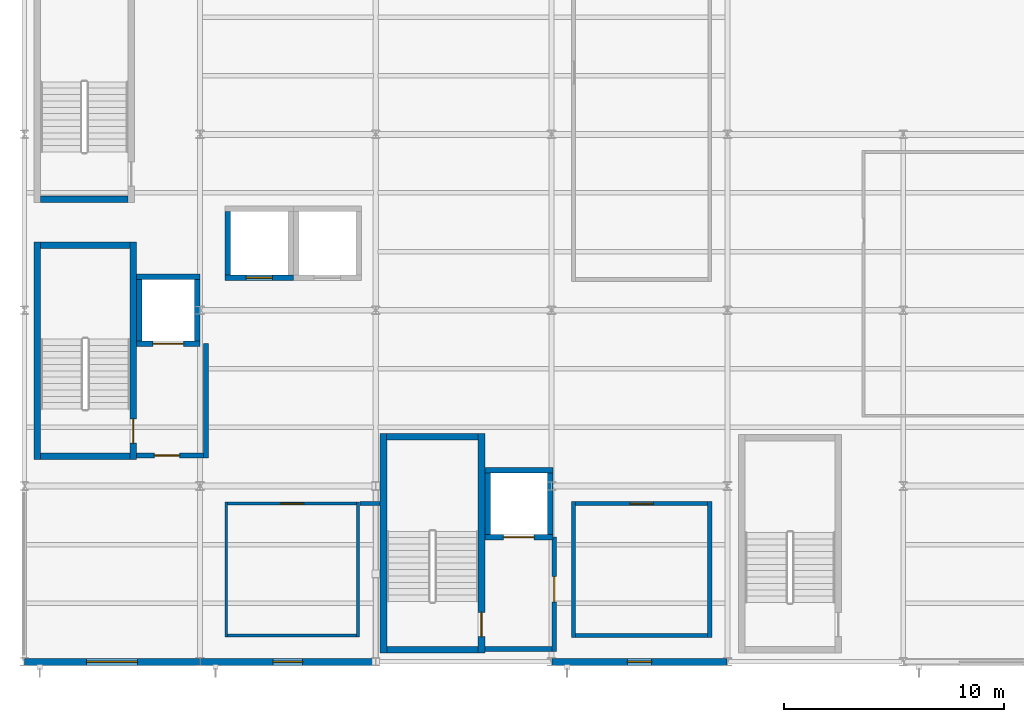
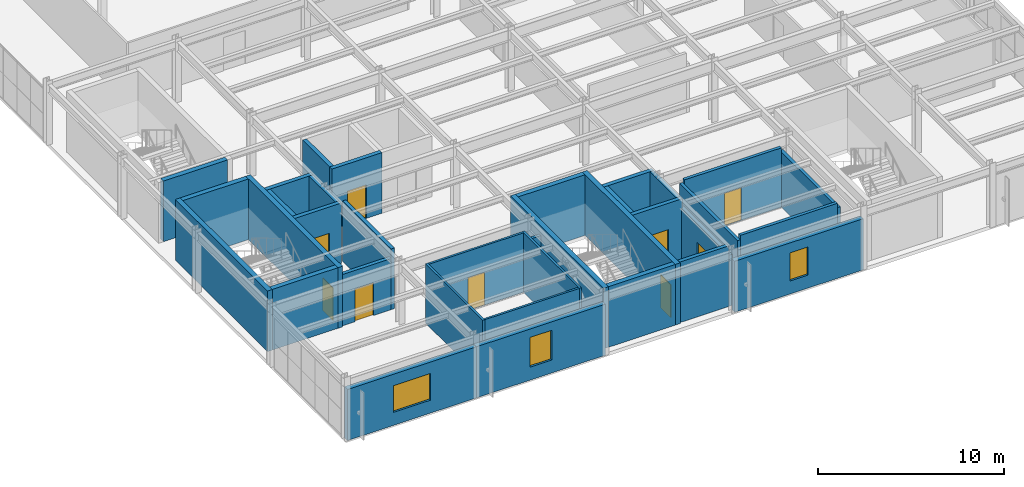
# One storey, part 44 of 67: 35 walls, 9 doors, 3 windows, 12 openings.
"""IFC4 building model written with IfcOpenShell, lengths in metres."""

import ifcopenshell
import ifcopenshell.guid

model = None  # the IFC model being written
_history = None  # IfcOwnerHistory: only IFC2X3 demands one
_inside = {}  # id of a spatial element -> (the spatial element, [elements in it])
_under = {}  # id of a project, library or spatial element -> (it, [spatial elements below it])
_declared = {}  # id of a project -> (the project, [libraries it declares])
_typed = {}  # id of a type object -> (the type object, [elements of that type])
_made_of = {}  # id of a material, layer set ... -> (it, [elements and type objects made of it])


def new_model(schema):
    """Start an empty IFC model of exactly this schema.

    Asked for "IFC4X3", IfcOpenShell would pick the latest addendum, in which some entities
    have other attributes; the version numbers below select the first issue.
    IFC2X3 requires an IfcOwnerHistory on every rooted entity: one is made here for all.
    """
    global model, _history
    if schema == "IFC4X3":
        model = ifcopenshell.file(schema_version=(4, 3, 0, 0))
    else:
        model = ifcopenshell.file(schema=schema)
    _inside.clear()
    _under.clear()
    _declared.clear()
    _typed.clear()
    _made_of.clear()
    _history = None
    if model.schema == "IFC2X3":
        org = make("IfcOrganization", Name="unknown")
        user = make(
            "IfcPersonAndOrganization",
            ThePerson=make("IfcPerson", FamilyName="unknown"),
            TheOrganization=org,
        )
        app = make(
            "IfcApplication",
            ApplicationDeveloper=org,
            Version="unknown",
            ApplicationFullName="unknown",
            ApplicationIdentifier="unknown",
        )
        _history = make(
            "IfcOwnerHistory",
            OwningUser=user,
            OwningApplication=app,
            ChangeAction="ADDED",
            CreationDate=0,
        )
    return model


def make(cls, **values):
    """One entity of the class cls with the attributes given. An attribute that is None is left unset."""
    return model.create_entity(
        cls, **{name: value for name, value in values.items() if value is not None}
    )


def rooted(cls, **values):
    """An entity with a GlobalId (a new one), such as an element, a storey or a relation."""
    return make(cls, GlobalId=ifcopenshell.guid.new(), OwnerHistory=_history, **values)


def si_unit(unit_type, name, prefix=None):
    """IfcSIUnit, for example si_unit("LENGTHUNIT", "METRE", prefix="MILLI")."""
    return make("IfcSIUnit", UnitType=unit_type, Prefix=prefix, Name=name)


def assignment(units):
    """IfcUnitAssignment: the units of a project."""
    return None if units is None else make("IfcUnitAssignment", Units=units)


def point(xyz):
    """IfcCartesianPoint."""
    return None if xyz is None else make("IfcCartesianPoint", Coordinates=xyz)


def direction(xyz):
    """IfcDirection."""
    return None if xyz is None else make("IfcDirection", DirectionRatios=xyz)


def frame(location, z_axis=None, x_axis=None):
    """IfcAxis2Placement3D, a coordinate frame: its origin and axes. An axis left out is left unset."""
    return make(
        "IfcAxis2Placement3D",
        Location=point(location),
        Axis=direction(z_axis),
        RefDirection=direction(x_axis),
    )


def frame_2d(location, x_axis=None):
    """IfcAxis2Placement2D, a coordinate frame in the plane: its origin and x axis."""
    return make(
        "IfcAxis2Placement2D", Location=point(location), RefDirection=direction(x_axis)
    )


def origin():
    """The frame at (0, 0, 0) with its axes left unset."""
    return frame((0.0, 0.0, 0.0))


def place(relative_to, where):
    """IfcLocalPlacement: puts the frame where relative to a parent placement (None: the world)."""
    return make(
        "IfcLocalPlacement", PlacementRelTo=relative_to, RelativePlacement=where
    )


def context(
    kind, dimensions, precision=None, world=None, true_north=None, identifier=None
):
    """IfcGeometricRepresentationContext, for example the 3D "Model" context."""
    return make(
        "IfcGeometricRepresentationContext",
        ContextIdentifier=identifier,
        ContextType=kind,
        CoordinateSpaceDimension=dimensions,
        Precision=precision,
        WorldCoordinateSystem=world,
        TrueNorth=true_north,
    )


def subcontext(parent, identifier, kind, view, scale=None):
    """IfcGeometricRepresentationSubContext, for example "Body" below "Model"."""
    return make(
        "IfcGeometricRepresentationSubContext",
        ContextIdentifier=identifier,
        ContextType=kind,
        ParentContext=parent,
        TargetScale=scale,
        TargetView=view,
    )


def project(units=None, contexts=None):
    """IfcProject with its units and contexts."""
    return rooted(
        "IfcProject",
        Name="project",
        RepresentationContexts=contexts,
        UnitsInContext=assignment(units),
    )


def spatial(cls, under=None, at=None, **own):
    """A site, building, storey or space (cls), placed at a placement, below another one or the project."""
    s = rooted(cls, ObjectPlacement=at, **own)
    if under is not None:
        _under.setdefault(under.id(), (under, []))[1].append(s)
    return s


def profile(cls, at=None, kind="AREA", **sizes):
    """A parametric profile (cls). Its sizes go by their IFC names, for example OverallWidth=200.0."""
    return make(cls, ProfileType=kind, Position=at, **sizes)


def rectangle(**sizes):
    """IfcRectangleProfileDef."""
    return profile("IfcRectangleProfileDef", **sizes)


def extrude(swept, where, along, depth):
    """IfcExtrudedAreaSolid: the profile swept, set in the frame where, extruded along a direction by depth."""
    return make(
        "IfcExtrudedAreaSolid",
        SweptArea=swept,
        Position=where,
        ExtrudedDirection=direction(along),
        Depth=depth,
    )


def shape(context_of_items, identifier, shape_type, items):
    """IfcShapeRepresentation: the items that make up one representation, for example the "Body"."""
    return make(
        "IfcShapeRepresentation",
        ContextOfItems=context_of_items,
        RepresentationIdentifier=identifier,
        RepresentationType=shape_type,
        Items=items,
    )


def material(Name=None, Category=None):
    """IfcMaterial."""
    return make("IfcMaterial", Name=Name, Category=Category)


def layer(
    of_material, thickness, ventilated=None, Name=None, Category=None, Priority=None
):
    """IfcMaterialLayer: one layer of a wall or slab, of a material (None: an air gap)."""
    return make(
        "IfcMaterialLayer",
        Material=of_material,
        LayerThickness=thickness,
        IsVentilated=ventilated,
        Name=Name,
        Category=Category,
        Priority=Priority,
    )


def layer_set(layers, Name=None):
    """IfcMaterialLayerSet."""
    return make("IfcMaterialLayerSet", MaterialLayers=layers, LayerSetName=Name)


def made_of(thing, what):
    """Note that an element or type object is made of a material, layer set ...; save() writes the relation."""
    if what is not None:
        _made_of.setdefault(what.id(), (what, []))[1].append(thing)
    return thing


def type_object(cls, material=None, **own):
    """A type object (cls), such as IfcWallType, which elements share."""
    return made_of(rooted(cls, **own), material)


def element(
    cls,
    number,
    at=None,
    inside=None,
    cuts=None,
    type_object=None,
    material=None,
    context=None,
    identifier="Body",
    shape_type=None,
    held_by="IfcProductDefinitionShape",
    body=None,
    shapes=None,
    **own,
):
    """One element of the class cls, such as IfcWall. Its Tag is "e" and its number.

    at: its placement. inside: the storey or other place that contains it. cuts: it is an
    opening in that element (IfcRelVoidsElement). A single representation is given by context,
    identifier, shape_type and body (its items); several are given by shapes. held_by: the class
    of the entity that holds the representations. save() writes the other relations.
    """
    e = rooted(cls, Tag="e%d" % number, ObjectPlacement=at, **own)
    if body is not None:
        shapes = [shape(context, identifier, shape_type, body)]
    if shapes is not None:
        e.Representation = make(held_by, Representations=shapes)
    if inside is not None:
        _inside.setdefault(inside.id(), (inside, []))[1].append(e)
    if cuts is not None:
        rooted(
            "IfcRelVoidsElement", RelatingBuildingElement=cuts, RelatedOpeningElement=e
        )
    if type_object is not None:
        _typed.setdefault(type_object.id(), (type_object, []))[1].append(e)
    return made_of(e, material)


def fill(opening, filler):
    """IfcRelFillsElement: the door or window that sits in an opening."""
    return rooted(
        "IfcRelFillsElement",
        RelatingOpeningElement=opening,
        RelatedBuildingElement=filler,
    )


def aggregate(whole, parts):
    """IfcRelAggregates: a whole, such as a stair, and the parts it consists of."""
    return rooted("IfcRelAggregates", RelatingObject=whole, RelatedObjects=parts)


def save(model, path):
    """Write the relations noted so far, then the file.

    IfcRelAggregates (storeys below a building ...), IfcRelContainedInSpatialStructure (elements
    in a storey), IfcRelDefinesByType, IfcRelAssociatesMaterial and IfcRelDeclares: one each for
    every whole, place, type object, material and project.
    """
    for whole, parts in _under.values():
        aggregate(whole, parts)
    for where, things in _inside.values():
        rooted(
            "IfcRelContainedInSpatialStructure",
            RelatedElements=things,
            RelatingStructure=where,
        )
    for kind, things in _typed.values():
        rooted("IfcRelDefinesByType", RelatedObjects=things, RelatingType=kind)
    for what, things in _made_of.values():
        rooted("IfcRelAssociatesMaterial", RelatedObjects=things, RelatingMaterial=what)
    for by, libraries in _declared.values():
        rooted("IfcRelDeclares", RelatingContext=by, RelatedDefinitions=libraries)
    model.write(path)


model = new_model("IFC4")

# Units and contexts
model_context = context("Model", 3, precision=1e-05, world=origin(), true_north=direction((0.0, 1.0)))
body_context = subcontext(model_context, "Body", "Model", "MODEL_VIEW")
ifc_project = project(units=[si_unit("LENGTHUNIT", "METRE"), si_unit("AREAUNIT", "SQUARE_METRE"), si_unit("VOLUMEUNIT", "CUBIC_METRE"), si_unit("PLANEANGLEUNIT", "RADIAN"), si_unit("MASSUNIT", "GRAM", prefix="KILO")], contexts=[model_context])

# Site, building, storey
site_placement = place(None, origin())
site = spatial("IfcSite", under=ifc_project, at=site_placement, CompositionType="ELEMENT")
building_placement = place(site_placement, origin())
building = spatial("IfcBuilding", under=site, at=building_placement, Name="Drelvath Fold Interchange", CompositionType="ELEMENT")
storey_placement = place(building_placement, frame((0.0, 0.0, 15.60009765625)))
storey = spatial("IfcBuildingStorey", under=building, at=storey_placement, Name="L03", CompositionType="ELEMENT", Elevation=15.60009765625)

# Wall
ifc_material_1 = material(Name="Concrete f'c 45 MPa (6500 psi)", Category="concrete")
ifc_layer_1 = layer(ifc_material_1, 0.300048828125, Name="Concrete f'c 45 MPa (6500 psi)")
ifc_layer_set_1 = layer_set([ifc_layer_1], Name="Concrete f'c 45 MPa (6500 psi)")
wall_type_1 = type_object("IfcWallType", Name="WL-CR300", PredefinedType="SHEAR", material=ifc_layer_set_1)
wall_1_placement = place(storey_placement, frame((4.75, 12.35009765625, 0.0), z_axis=(0.0, 0.0, 1.0), x_axis=(1.0, 0.0, 0.0)))
element("IfcWall", 1, at=wall_1_placement, inside=storey, type_object=wall_type_1, Name="ST-01 L03 south core wall", PredefinedType="SHEAR", context=body_context, shape_type="SweptSolid", body=[
    extrude(rectangle(XDim=4.06005859375, YDim=0.300048828125, at=frame_2d((2.030029296875, 0.0))), origin(), (0.0, 0.0, 1.0), 3.974853515625),
])

# Wall, opening, door
wall_2_placement = place(storey_placement, frame((8.9599609375, 12.199951171875, 0.0), z_axis=(0.0, 0.0, 1.0), x_axis=(0.0, 1.0, 0.0)))
wall_2 = element("IfcWall", 2, at=wall_2_placement, inside=storey, type_object=wall_type_1, Name="ST-01 L03 east core wall", PredefinedType="SHEAR", context=body_context, shape_type="SweptSolid", body=[
    extrude(rectangle(XDim=9.900146484375, YDim=0.300048828125, at=frame_2d((4.9501953125, 0.0))), origin(), (0.0, 0.0, 1.0), 3.974853515625),
])
opening_1_placement = place(wall_2_placement, frame((0.75, 0.0, 0.0)))
opening_1 = element("IfcOpeningElement", 3, at=opening_1_placement, cuts=wall_2, Name="Opening D-L03-006", PredefinedType="OPENING", context=body_context, shape_type="SweptSolid", body=[
    extrude(rectangle(XDim=1.10009765625, YDim=2.14990234375, at=frame_2d((0.550048828125, 1.074951171875))), frame((0.0, 0.159912109375, 0.0), z_axis=(0.0, -1.0, 0.0), x_axis=(1.0, 0.0, 0.0)), (0.0, 0.0, 1.0), 0.320068359375),
])
ifc_material_2 = material(Name="Insulated Hollow Metal Door Assembly")
door_type_1 = type_object("IfcDoorType", Name="DR-ST1100", OperationType="NOTDEFINED", PredefinedType="DOOR", material=ifc_material_2)
door_1_placement = place(opening_1_placement, origin())
door_1 = element("IfcDoor", 4, at=door_1_placement, inside=storey, type_object=door_type_1, Name="ST-01 L03 stair fire door D-L03-006", OperationType="SINGLE_SWING_RIGHT", OverallHeight=2.14990234375, OverallWidth=1.10009765625, PredefinedType="DOOR", context=body_context, shape_type="SweptSolid", body=[
    extrude(rectangle(XDim=1.10009765625, YDim=2.14990234375, at=frame_2d((0.550048828125, 1.074951171875))), frame((0.0, 0.02490234375, 0.0), z_axis=(0.0, -1.0, 0.0), x_axis=(1.0, 0.0, 0.0)), (0.0, 0.0, 1.0), 0.050048828125),
])
fill(opening_1, door_1)

# Walls
wall_3_placement = place(storey_placement, frame((8.81005859375, 21.949951171875, 0.0), z_axis=(0.0, 0.0, 1.0), x_axis=(-1.0, 0.0, 0.0)))
element("IfcWall", 5, at=wall_3_placement, inside=storey, type_object=wall_type_1, Name="ST-01 L03 north core wall", PredefinedType="SHEAR", context=body_context, shape_type="SweptSolid", body=[
    extrude(rectangle(XDim=4.06005859375, YDim=0.300048828125, at=frame_2d((2.030029296875, 0.0))), origin(), (0.0, 0.0, 1.0), 3.974853515625),
])
wall_4_placement = place(storey_placement, frame((4.60009765625, 22.10009765625, 0.0), z_axis=(0.0, 0.0, 1.0), x_axis=(0.0, -1.0, 0.0)))
element("IfcWall", 6, at=wall_4_placement, inside=storey, type_object=wall_type_1, Name="ST-01 L03 west core wall", PredefinedType="SHEAR", context=body_context, shape_type="SweptSolid", body=[
    extrude(rectangle(XDim=9.900146484375, YDim=0.300048828125, at=frame_2d((4.9501953125, 0.0))), origin(), (0.0, 0.0, 1.0), 3.974853515625),
])
wall_5_placement = place(storey_placement, frame((4.75, 24.050048828125, 0.0), z_axis=(0.0, 0.0, 1.0), x_axis=(1.0, 0.0, 0.0)))
element("IfcWall", 7, at=wall_5_placement, inside=storey, type_object=wall_type_1, Name="ST-02 L03 south core wall", PredefinedType="SHEAR", context=body_context, shape_type="SweptSolid", body=[
    extrude(rectangle(XDim=3.97998046875, YDim=0.300048828125, at=frame_2d((1.989990234375, 0.0))), origin(), (0.0, 0.0, 1.0), 3.974853515625),
])
wall_6_placement = place(storey_placement, frame((20.5, 3.550048828125, 0.0), z_axis=(0.0, 0.0, 1.0), x_axis=(1.0, 0.0, 0.0)))
element("IfcWall", 8, at=wall_6_placement, inside=storey, type_object=wall_type_1, Name="ST-03 L03 south core wall", PredefinedType="SHEAR", context=body_context, shape_type="SweptSolid", body=[
    extrude(rectangle(XDim=4.159912109375, YDim=0.300048828125, at=frame_2d((2.080078125, 0.0))), origin(), (0.0, 0.0, 1.0), 3.974853515625),
])

# Wall, opening, door
wall_7_placement = place(storey_placement, frame((24.81005859375, 3.39990234375, 0.0), z_axis=(0.0, 0.0, 1.0), x_axis=(0.0, 1.0, 0.0)))
wall_7 = element("IfcWall", 9, at=wall_7_placement, inside=storey, type_object=wall_type_1, Name="ST-03 L03 east core wall", PredefinedType="SHEAR", context=body_context, shape_type="SweptSolid", body=[
    extrude(rectangle(XDim=10.0, YDim=0.300048828125, at=frame_2d((5.0, 0.0))), origin(), (0.0, 0.0, 1.0), 3.974853515625),
])
opening_2_placement = place(wall_7_placement, frame((0.75, 0.0, 0.0)))
opening_2 = element("IfcOpeningElement", 10, at=opening_2_placement, cuts=wall_7, Name="Opening D-L03-022", PredefinedType="OPENING", context=body_context, shape_type="SweptSolid", body=[
    extrude(rectangle(XDim=1.10009765625, YDim=2.14990234375, at=frame_2d((0.550048828125, 1.074951171875))), frame((0.0, 0.159912109375, 0.0), z_axis=(0.0, -1.0, 0.0), x_axis=(1.0, 0.0, 0.0)), (0.0, 0.0, 1.0), 0.320068359375),
])
door_2_placement = place(opening_2_placement, origin())
door_2 = element("IfcDoor", 11, at=door_2_placement, inside=storey, type_object=door_type_1, Name="ST-03 L03 stair fire door D-L03-022", OperationType="SINGLE_SWING_RIGHT", OverallHeight=2.14990234375, OverallWidth=1.10009765625, PredefinedType="DOOR", context=body_context, shape_type="SweptSolid", body=[
    extrude(rectangle(XDim=1.10009765625, YDim=2.14990234375, at=frame_2d((0.550048828125, 1.074951171875))), frame((0.0, 0.02490234375, 0.0), z_axis=(0.0, -1.0, 0.0), x_axis=(1.0, 0.0, 0.0)), (0.0, 0.0, 1.0), 0.050048828125),
])
fill(opening_2, door_2)

# Walls
wall_8_placement = place(storey_placement, frame((24.659912109375, 13.25, 0.0), z_axis=(0.0, 0.0, 1.0), x_axis=(-1.0, 0.0, 0.0)))
element("IfcWall", 12, at=wall_8_placement, inside=storey, type_object=wall_type_1, Name="ST-03 L03 north core wall", PredefinedType="SHEAR", context=body_context, shape_type="SweptSolid", body=[
    extrude(rectangle(XDim=4.159912109375, YDim=0.300048828125, at=frame_2d((2.080078125, 0.0))), origin(), (0.0, 0.0, 1.0), 3.974853515625),
])
wall_9_placement = place(storey_placement, frame((20.35009765625, 13.39990234375, 0.0), z_axis=(0.0, 0.0, 1.0), x_axis=(0.0, -1.0, 0.0)))
element("IfcWall", 13, at=wall_9_placement, inside=storey, type_object=wall_type_1, Name="ST-03 L03 west core wall", PredefinedType="SHEAR", context=body_context, shape_type="SweptSolid", body=[
    extrude(rectangle(XDim=10.0, YDim=0.300048828125, at=frame_2d((5.0, 0.0))), origin(), (0.0, 0.0, 1.0), 3.974853515625),
])

# Wall, opening, window
ifc_material_3 = material(Name="Precast concrete f'c 40 MPa (6000 psi)", Category="concrete")
ifc_layer_2 = layer(ifc_material_3, 0.31494140625, Name="Precast concrete f'c 40 MPa (6000 psi)")
ifc_layer_set_2 = layer_set([ifc_layer_2], Name="Precast concrete f'c 40 MPa (6000 psi)")
wall_type_2 = type_object("IfcWallType", Name="WL-EXT315", PredefinedType="SOLIDWALL", material=ifc_layer_set_2)
wall_10_placement = place(storey_placement, frame((4.010009765625, 3.0, 0.0), z_axis=(0.0, 0.0, 1.0), x_axis=(1.0, 0.0, 0.0)))
wall_10 = element("IfcWall", 14, at=wall_10_placement, inside=storey, type_object=wall_type_2, Name="L03 exterior facade wall 68", PredefinedType="SOLIDWALL", context=body_context, shape_type="SweptSolid", body=[
    extrude(rectangle(XDim=7.97998046875, YDim=0.31494140625, at=frame_2d((3.989990234375, 0.0))), origin(), (0.0, 0.0, 1.0), 3.349853515625),
])
opening_3_placement = place(wall_10_placement, frame((2.840087890625, 0.0, 0.85009765625)))
opening_3 = element("IfcOpeningElement", 15, at=opening_3_placement, cuts=wall_10, Name="Opening W-L03-062", PredefinedType="OPENING", context=body_context, shape_type="SweptSolid", body=[
    extrude(rectangle(XDim=2.300048828125, YDim=1.75, at=frame_2d((1.14990234375, 0.875))), frame((0.0, 0.16748046875, 0.0), z_axis=(0.0, -1.0, 0.0), x_axis=(1.0, 0.0, 0.0)), (0.0, 0.0, 1.0), 0.3349609375),
])
ifc_material_4 = material(Name="Low-Iron Insulated Laminated Glass", Category="glass")
window_type_1 = type_object("IfcWindowType", Name="WN-230x175", PartitioningType="DOUBLE_PANEL_VERTICAL", PredefinedType="WINDOW", material=ifc_material_4)
window_1_placement = place(opening_3_placement, origin())
window_1 = element("IfcWindow", 16, at=window_1_placement, inside=storey, type_object=window_type_1, Name="Facade window W-L03-062", OverallHeight=1.75, OverallWidth=2.300048828125, PartitioningType="SINGLE_PANEL", PredefinedType="WINDOW", context=body_context, shape_type="SweptSolid", body=[
    extrude(rectangle(XDim=2.300048828125, YDim=1.75, at=frame_2d((1.14990234375, 0.875))), frame((0.0, 0.030029296875, 0.0), z_axis=(0.0, -1.0, 0.0), x_axis=(1.0, 0.0, 0.0)), (0.0, 0.0, 1.0), 0.06005859375),
])
fill(opening_3, window_1)

wall_11_placement = place(storey_placement, frame((12.010009765625, 3.0, 0.0), z_axis=(0.0, 0.0, 1.0), x_axis=(1.0, 0.0, 0.0)))
wall_11 = element("IfcWall", 17, at=wall_11_placement, inside=storey, type_object=wall_type_2, Name="L03 exterior facade wall 69", PredefinedType="SOLIDWALL", context=body_context, shape_type="SweptSolid", body=[
    extrude(rectangle(XDim=7.97998046875, YDim=0.31494140625, at=frame_2d((3.989990234375, 0.0))), origin(), (0.0, 0.0, 1.0), 3.349853515625),
])
opening_4_placement = place(wall_11_placement, frame((3.31494140625, 0.0, 0.85009765625)))
opening_4 = element("IfcOpeningElement", 18, at=opening_4_placement, cuts=wall_11, Name="Opening W-L03-063", PredefinedType="OPENING", context=body_context, shape_type="SweptSolid", body=[
    extrude(rectangle(XDim=1.35009765625, YDim=1.949951171875, at=frame_2d((0.675048828125, 0.97509765625))), frame((0.0, 0.16748046875, 0.0), z_axis=(0.0, -1.0, 0.0), x_axis=(1.0, 0.0, 0.0)), (0.0, 0.0, 1.0), 0.3349609375),
])
window_type_2 = type_object("IfcWindowType", Name="WN-135x195", PartitioningType="SINGLE_PANEL", PredefinedType="WINDOW", material=ifc_material_4)
window_2_placement = place(opening_4_placement, origin())
window_2 = element("IfcWindow", 19, at=window_2_placement, inside=storey, type_object=window_type_2, Name="Facade window W-L03-063", OverallHeight=1.949951171875, OverallWidth=1.35009765625, PartitioningType="SINGLE_PANEL", PredefinedType="WINDOW", context=body_context, shape_type="SweptSolid", body=[
    extrude(rectangle(XDim=1.35009765625, YDim=1.949951171875, at=frame_2d((0.675048828125, 0.97509765625))), frame((0.0, 0.030029296875, 0.0), z_axis=(0.0, -1.0, 0.0), x_axis=(1.0, 0.0, 0.0)), (0.0, 0.0, 1.0), 0.06005859375),
])
fill(opening_4, window_2)

wall_12_placement = place(storey_placement, frame((28.010009765625, 3.0, 0.0), z_axis=(0.0, 0.0, 1.0), x_axis=(1.0, 0.0, 0.0)))
wall_12 = element("IfcWall", 20, at=wall_12_placement, inside=storey, type_object=wall_type_2, Name="L03 exterior facade wall 70", PredefinedType="SOLIDWALL", context=body_context, shape_type="SweptSolid", body=[
    extrude(rectangle(XDim=7.97998046875, YDim=0.31494140625, at=frame_2d((3.989990234375, 0.0))), origin(), (0.0, 0.0, 1.0), 3.349853515625),
])
opening_5_placement = place(wall_12_placement, frame((3.43994140625, 0.0, 0.85009765625)))
opening_5 = element("IfcOpeningElement", 21, at=opening_5_placement, cuts=wall_12, Name="Opening W-L03-064", PredefinedType="OPENING", context=body_context, shape_type="SweptSolid", body=[
    extrude(rectangle(XDim=1.10009765625, YDim=1.85009765625, at=frame_2d((0.550048828125, 0.925048828125))), frame((0.0, 0.16748046875, 0.0), z_axis=(0.0, -1.0, 0.0), x_axis=(1.0, 0.0, 0.0)), (0.0, 0.0, 1.0), 0.3349609375),
])
window_type_3 = type_object("IfcWindowType", Name="WN-110x185", PartitioningType="SINGLE_PANEL", PredefinedType="WINDOW", material=ifc_material_4)
window_3_placement = place(opening_5_placement, origin())
window_3 = element("IfcWindow", 22, at=window_3_placement, inside=storey, type_object=window_type_3, Name="Facade window W-L03-064", OverallHeight=1.85009765625, OverallWidth=1.10009765625, PartitioningType="SINGLE_PANEL", PredefinedType="WINDOW", context=body_context, shape_type="SweptSolid", body=[
    extrude(rectangle(XDim=1.10009765625, YDim=1.85009765625, at=frame_2d((0.550048828125, 0.925048828125))), frame((0.0, 0.030029296875, 0.0), z_axis=(0.0, -1.0, 0.0), x_axis=(1.0, 0.0, 0.0)), (0.0, 0.0, 1.0), 0.06005859375),
])
fill(opening_5, window_3)

# Wall, opening, door
ifc_layer_3 = layer(ifc_material_1, 0.219970703125, Name="Concrete f'c 45 MPa (6500 psi)")
ifc_layer_set_3 = layer_set([ifc_layer_3], Name="Concrete f'c 45 MPa (6500 psi)")
wall_type_3 = type_object("IfcWallType", Name="WL-FF220", PredefinedType="SOLIDWALL", material=ifc_layer_set_3)
wall_13_placement = place(storey_placement, frame((9.1201171875, 12.389892578125, 0.0), z_axis=(0.0, 0.0, 1.0), x_axis=(1.0, 0.0, 0.0)))
wall_13 = element("IfcWall", 23, at=wall_13_placement, inside=storey, type_object=wall_type_3, Name="Firefighting Lift Lobby FF-1 L03 south rated wall", PredefinedType="SOLIDWALL", context=body_context, shape_type="SweptSolid", body=[
    extrude(rectangle(XDim=3.039794921875, YDim=0.219970703125, at=frame_2d((1.52001953125, 0.0))), origin(), (0.0, 0.0, 1.0), 3.35791015625),
])
opening_6_placement = place(wall_13_placement, frame((0.804931640625, 0.0, 0.0)))
opening_6 = element("IfcOpeningElement", 24, at=opening_6_placement, cuts=wall_13, Name="Opening D-L03-053", PredefinedType="OPENING", context=body_context, shape_type="SweptSolid", body=[
    extrude(rectangle(XDim=1.14990234375, YDim=2.14990234375, at=frame_2d((0.574951171875, 1.074951171875))), frame((0.0, 0.119873046875, 0.0), z_axis=(0.0, -1.0, 0.0), x_axis=(1.0, 0.0, 0.0)), (0.0, 0.0, 1.0), 0.239990234375),
])
door_type_2 = type_object("IfcDoorType", Name="DR-FF1150", OperationType="NOTDEFINED", PredefinedType="DOOR", material=ifc_material_2)
door_3_placement = place(opening_6_placement, frame((1.14990234375, 0.0, 0.0), z_axis=(0.0, 0.0, 1.0), x_axis=(-1.0, 0.0, 0.0)))
door_3 = element("IfcDoor", 25, at=door_3_placement, inside=storey, type_object=door_type_2, Name="Firefighting Lift Lobby FF-1 L03 corridor fire door D-L03-053", OperationType="SINGLE_SWING_LEFT", OverallHeight=2.14990234375, OverallWidth=1.14990234375, PredefinedType="DOOR", context=body_context, shape_type="SweptSolid", body=[
    extrude(rectangle(XDim=1.14990234375, YDim=2.14990234375, at=frame_2d((0.574951171875, 1.074951171875))), frame((0.0, 0.02490234375, 0.0), z_axis=(0.0, -1.0, 0.0), x_axis=(1.0, 0.0, 0.0)), (0.0, 0.0, 1.0), 0.050048828125),
])
fill(opening_6, door_3)

# Walls
wall_14_placement = place(storey_placement, frame((12.27001953125, 12.280029296875, 0.0), z_axis=(0.0, 0.0, 1.0), x_axis=(0.0, 1.0, 0.0)))
element("IfcWall", 26, at=wall_14_placement, inside=storey, type_object=wall_type_3, Name="Firefighting Lift Lobby FF-1 L03 east rated wall", PredefinedType="SOLIDWALL", context=body_context, shape_type="SweptSolid", body=[
    extrude(rectangle(XDim=5.2099609375, YDim=0.219970703125, at=frame_2d((2.60498046875, 0.0))), origin(), (0.0, 0.0, 1.0), 3.974853515625),
])
wall_15_placement = place(storey_placement, frame((24.969970703125, 3.590087890625, 0.0), z_axis=(0.0, 0.0, 1.0), x_axis=(1.0, 0.0, 0.0)))
element("IfcWall", 27, at=wall_15_placement, inside=storey, type_object=wall_type_3, Name="Firefighting Lift Lobby FF-2 L03 south rated wall", PredefinedType="SOLIDWALL", context=body_context, shape_type="SweptSolid", body=[
    extrude(rectangle(XDim=3.0400390625, YDim=0.219970703125, at=frame_2d((1.52001953125, 0.0))), origin(), (0.0, 0.0, 1.0), 3.974853515625),
])

# Wall, opening, door
wall_16_placement = place(storey_placement, frame((28.1201171875, 3.47998046875, 0.0), z_axis=(0.0, 0.0, 1.0), x_axis=(0.0, 1.0, 0.0)))
wall_16 = element("IfcWall", 28, at=wall_16_placement, inside=storey, type_object=wall_type_3, Name="Firefighting Lift Lobby FF-2 L03 east rated wall", PredefinedType="SOLIDWALL", context=body_context, shape_type="SweptSolid", body=[
    extrude(rectangle(XDim=5.2099609375, YDim=0.219970703125, at=frame_2d((2.60498046875, 0.0))), origin(), (0.0, 0.0, 1.0), 3.35791015625),
])
opening_7_placement = place(wall_16_placement, frame((2.2451171875, 0.0, 0.0)))
opening_7 = element("IfcOpeningElement", 29, at=opening_7_placement, cuts=wall_16, Name="Opening D-L03-061", PredefinedType="OPENING", context=body_context, shape_type="SweptSolid", body=[
    extrude(rectangle(XDim=1.14990234375, YDim=2.14990234375, at=frame_2d((0.574951171875, 1.074951171875))), frame((0.0, 0.119873046875, 0.0), z_axis=(0.0, -1.0, 0.0), x_axis=(1.0, 0.0, 0.0)), (0.0, 0.0, 1.0), 0.239990234375),
])
door_4_placement = place(opening_7_placement, origin())
door_4 = element("IfcDoor", 30, at=door_4_placement, inside=storey, type_object=door_type_2, Name="Firefighting Lift Lobby FF-2 L03 corridor fire door D-L03-061", OperationType="SINGLE_SWING_LEFT", OverallHeight=2.14990234375, OverallWidth=1.14990234375, PredefinedType="DOOR", context=body_context, shape_type="SweptSolid", body=[
    extrude(rectangle(XDim=1.14990234375, YDim=2.14990234375, at=frame_2d((0.574951171875, 1.074951171875))), frame((0.0, 0.02490234375, 0.0), z_axis=(0.0, -1.0, 0.0), x_axis=(1.0, 0.0, 0.0)), (0.0, 0.0, 1.0), 0.050048828125),
])
fill(opening_7, door_4)

# Walls
ifc_material_5 = material(Name="Fire-Rated Gypsum Board Assembly")
ifc_layer_4 = layer(ifc_material_5, 0.179931640625, Name="Fire-Rated Gypsum Board Assembly")
ifc_layer_set_4 = layer_set([ifc_layer_4], Name="Fire-Rated Gypsum Board Assembly")
wall_type_4 = type_object("IfcWallType", Name="WL-FR180", PredefinedType="PARTITIONING", material=ifc_layer_set_4)
wall_17_placement = place(storey_placement, frame((19.2900390625, 10.199951171875, 0.0), z_axis=(0.0, 0.0, 1.0), x_axis=(1.0, 0.0, 0.0)))
element("IfcWall", 31, at=wall_17_placement, inside=storey, type_object=wall_type_4, Name="L03 braced frame shaft closure partition", PredefinedType="PARTITIONING", context=body_context, shape_type="SweptSolid", body=[
    extrude(rectangle(XDim=0.909912109375, YDim=0.179931640625, at=frame_2d((0.455078125, 0.0))), origin(), (0.0, 0.0, 1.0), 3.35791015625),
])
ifc_layer_5 = layer(ifc_material_5, 0.195068359375, Name="Fire-Rated Gypsum Board Assembly")
ifc_layer_set_5 = layer_set([ifc_layer_5], Name="Fire-Rated Gypsum Board Assembly")
wall_type_5 = type_object("IfcWallType", Name="WL-FR195", PredefinedType="PARTITIONING", material=ifc_layer_set_5)
wall_18_placement = place(storey_placement, frame((29.097900390625, 4.199951171875, 0.0), z_axis=(0.0, 0.0, 1.0), x_axis=(1.0, 0.0, 0.0)))
element("IfcWall", 32, at=wall_18_placement, inside=storey, type_object=wall_type_5, Name="Redundant Fibre Telecom Server Room S partition", PredefinedType="PARTITIONING", context=body_context, shape_type="SweptSolid", body=[
    extrude(rectangle(XDim=6.005126953125, YDim=0.195068359375, at=frame_2d((3.00244140625, 0.0))), origin(), (0.0, 0.0, 1.0), 3.89990234375),
])
wall_19_placement = place(storey_placement, frame((35.199951171875, 4.10302734375, 0.0), z_axis=(0.0, 0.0, 1.0), x_axis=(0.0, 1.0, 0.0)))
element("IfcWall", 33, at=wall_19_placement, inside=storey, type_object=wall_type_5, Name="Redundant Fibre Telecom Server Room E partition", PredefinedType="PARTITIONING", context=body_context, shape_type="SweptSolid", body=[
    extrude(rectangle(XDim=6.194091796875, YDim=0.195068359375, at=frame_2d((3.09716796875, 0.0))), origin(), (0.0, 0.0, 1.0), 3.620849609375),
])

# Wall, opening, door
wall_20_placement = place(storey_placement, frame((35.10302734375, 10.199951171875, 0.0), z_axis=(0.0, 0.0, 1.0), x_axis=(-1.0, 0.0, 0.0)))
wall_20 = element("IfcWall", 34, at=wall_20_placement, inside=storey, type_object=wall_type_5, Name="Redundant Fibre Telecom Server Room N partition", PredefinedType="PARTITIONING", context=body_context, shape_type="SweptSolid", body=[
    extrude(rectangle(XDim=6.005126953125, YDim=0.195068359375, at=frame_2d((3.00244140625, 0.0))), origin(), (0.0, 0.0, 1.0), 3.89990234375),
])
opening_8_placement = place(wall_20_placement, frame((2.472900390625, 0.0, 0.0)))
opening_8 = element("IfcOpeningElement", 35, at=opening_8_placement, cuts=wall_20, Name="Opening D-L03-125", PredefinedType="OPENING", context=body_context, shape_type="SweptSolid", body=[
    extrude(rectangle(XDim=1.06005859375, YDim=2.159912109375, at=frame_2d((0.530029296875, 1.080078125))), frame((0.0, 0.107421875, 0.0), z_axis=(0.0, -1.0, 0.0), x_axis=(1.0, 0.0, 0.0)), (0.0, 0.0, 1.0), 0.215087890625),
])
door_type_3 = type_object("IfcDoorType", Name="DR-FD106", OperationType="NOTDEFINED", PredefinedType="DOOR", material=ifc_material_2)
door_5_placement = place(opening_8_placement, origin())
door_5 = element("IfcDoor", 36, at=door_5_placement, inside=storey, type_object=door_type_3, Name="Redundant Fibre Telecom Server Room door D-L03-125", OperationType="SINGLE_SWING_RIGHT", OverallHeight=2.159912109375, OverallWidth=1.06005859375, PredefinedType="DOOR", context=body_context, shape_type="SweptSolid", body=[
    extrude(rectangle(XDim=1.06005859375, YDim=2.159912109375, at=frame_2d((0.530029296875, 1.080078125))), frame((0.0, 0.02490234375, 0.0), z_axis=(0.0, -1.0, 0.0), x_axis=(1.0, 0.0, 0.0)), (0.0, 0.0, 1.0), 0.050048828125),
])
fill(opening_8, door_5)

# Walls
wall_21_placement = place(storey_placement, frame((29.0, 10.297119140625, 0.0), z_axis=(0.0, 0.0, 1.0), x_axis=(0.0, -1.0, 0.0)))
element("IfcWall", 37, at=wall_21_placement, inside=storey, type_object=wall_type_5, Name="Redundant Fibre Telecom Server Room W partition", PredefinedType="PARTITIONING", context=body_context, shape_type="SweptSolid", body=[
    extrude(rectangle(XDim=6.194091796875, YDim=0.195068359375, at=frame_2d((3.09716796875, 0.0))), origin(), (0.0, 0.0, 1.0), 3.620849609375),
])
ifc_material_6 = material(Name="Acoustic Gypsum Board Partition Assembly")
ifc_layer_6 = layer(ifc_material_6, 0.1298828125, Name="Acoustic Gypsum Board Partition Assembly")
ifc_layer_set_6 = layer_set([ifc_layer_6], Name="Acoustic Gypsum Board Partition Assembly")
wall_type_6 = type_object("IfcWallType", Name="WL-PT130", PredefinedType="PARTITIONING", material=ifc_layer_set_6)
wall_22_placement = place(storey_placement, frame((13.264892578125, 4.199951171875, 0.0), z_axis=(0.0, 0.0, 1.0), x_axis=(1.0, 0.0, 0.0)))
element("IfcWall", 38, at=wall_22_placement, inside=storey, type_object=wall_type_6, Name="Signalling Systems Engineering Office S partition", PredefinedType="PARTITIONING", context=body_context, shape_type="SweptSolid", body=[
    extrude(rectangle(XDim=5.8701171875, YDim=0.1298828125, at=frame_2d((2.93505859375, 0.0))), origin(), (0.0, 0.0, 1.0), 3.89990234375),
])
wall_23_placement = place(storey_placement, frame((19.199951171875, 4.135009765625, 0.0), z_axis=(0.0, 0.0, 1.0), x_axis=(0.0, 1.0, 0.0)))
element("IfcWall", 39, at=wall_23_placement, inside=storey, type_object=wall_type_6, Name="Signalling Systems Engineering Office E partition", PredefinedType="PARTITIONING", context=body_context, shape_type="SweptSolid", body=[
    extrude(rectangle(XDim=6.1298828125, YDim=0.1298828125, at=frame_2d((3.06494140625, 0.0))), origin(), (0.0, 0.0, 1.0), 3.89990234375),
])

# Wall, opening, door
wall_24_placement = place(storey_placement, frame((19.135009765625, 10.199951171875, 0.0), z_axis=(0.0, 0.0, 1.0), x_axis=(-1.0, 0.0, 0.0)))
wall_24 = element("IfcWall", 40, at=wall_24_placement, inside=storey, type_object=wall_type_6, Name="Signalling Systems Engineering Office N partition", PredefinedType="PARTITIONING", context=body_context, shape_type="SweptSolid", body=[
    extrude(rectangle(XDim=5.8701171875, YDim=0.1298828125, at=frame_2d((2.93505859375, 0.0))), origin(), (0.0, 0.0, 1.0), 3.89990234375),
])
opening_9_placement = place(wall_24_placement, frame((2.4150390625, 0.0, 0.0)))
opening_9 = element("IfcOpeningElement", 41, at=opening_9_placement, cuts=wall_24, Name="Opening D-L03-124", PredefinedType="OPENING", context=body_context, shape_type="SweptSolid", body=[
    extrude(rectangle(XDim=1.0400390625, YDim=2.159912109375, at=frame_2d((0.52001953125, 1.080078125))), frame((0.0, 0.074951171875, 0.0), z_axis=(0.0, -1.0, 0.0), x_axis=(1.0, 0.0, 0.0)), (0.0, 0.0, 1.0), 0.14990234375),
])
ifc_material_7 = material(Name="Anodized Aluminium Glazed Door Assembly", Category="aluminium")
door_type_4 = type_object("IfcDoorType", Name="DR-NR104", OperationType="NOTDEFINED", PredefinedType="DOOR", material=ifc_material_7)
door_6_placement = place(opening_9_placement, origin())
door_6 = element("IfcDoor", 42, at=door_6_placement, inside=storey, type_object=door_type_4, Name="Signalling Systems Engineering Office door D-L03-124", OperationType="SINGLE_SWING_LEFT", OverallHeight=2.159912109375, OverallWidth=1.0400390625, PredefinedType="DOOR", context=body_context, shape_type="SweptSolid", body=[
    extrude(rectangle(XDim=1.0400390625, YDim=2.159912109375, at=frame_2d((0.52001953125, 1.080078125))), frame((0.0, 0.02490234375, 0.0), z_axis=(0.0, -1.0, 0.0), x_axis=(1.0, 0.0, 0.0)), (0.0, 0.0, 1.0), 0.050048828125),
])
fill(opening_9, door_6)

# Wall
wall_25_placement = place(storey_placement, frame((13.199951171875, 10.264892578125, 0.0), z_axis=(0.0, 0.0, 1.0), x_axis=(0.0, -1.0, 0.0)))
element("IfcWall", 43, at=wall_25_placement, inside=storey, type_object=wall_type_6, Name="Signalling Systems Engineering Office W partition", PredefinedType="PARTITIONING", context=body_context, shape_type="SweptSolid", body=[
    extrude(rectangle(XDim=6.1298828125, YDim=0.1298828125, at=frame_2d((3.06494140625, 0.0))), origin(), (0.0, 0.0, 1.0), 3.89990234375),
])

# Wall, opening, door
ifc_layer_7 = layer(ifc_material_1, 0.25, Name="Concrete f'c 45 MPa (6500 psi)")
ifc_layer_set_7 = layer_set([ifc_layer_7], Name="Concrete f'c 45 MPa (6500 psi)")
wall_type_7 = type_object("IfcWallType", Name="WL-SH250", PredefinedType="SOLIDWALL", material=ifc_layer_set_7)
wall_26_placement = place(storey_placement, frame((9.110107421875, 17.47509765625, 0.0), z_axis=(0.0, 0.0, 1.0), x_axis=(1.0, 0.0, 0.0)))
wall_26 = element("IfcWall", 44, at=wall_26_placement, inside=storey, type_object=wall_type_7, Name="LF-FF1 L03 south shaft wall", PredefinedType="SOLIDWALL", context=body_context, shape_type="SweptSolid", body=[
    extrude(rectangle(XDim=2.89990234375, YDim=0.25, at=frame_2d((1.449951171875, 0.0))), origin(), (0.0, 0.0, 1.0), 3.974853515625),
])
opening_10_placement = place(wall_26_placement, frame((0.75, 0.0, 0.0)))
opening_10 = element("IfcOpeningElement", 45, at=opening_10_placement, cuts=wall_26, Name="Opening LD-LF-FF1-L03", PredefinedType="OPENING", context=body_context, shape_type="SweptSolid", body=[
    extrude(rectangle(XDim=1.39990234375, YDim=2.25, at=frame_2d((0.699951171875, 1.125))), frame((0.0, 0.135009765625, 0.0), z_axis=(0.0, -1.0, 0.0), x_axis=(1.0, 0.0, 0.0)), (0.0, 0.0, 1.0), 0.27001953125),
])
door_type_5 = type_object("IfcDoorType", Name="DR-LD1400", OperationType="DOUBLE_DOOR_SLIDING", PredefinedType="DOOR", material=ifc_material_2)
door_7_placement = place(opening_10_placement, frame((1.39990234375, 0.0, 0.0), z_axis=(0.0, 0.0, 1.0), x_axis=(-1.0, 0.0, 0.0)))
door_7 = element("IfcDoor", 46, at=door_7_placement, inside=storey, type_object=door_type_5, Name="LF-FF1 L03 lift landing sliding door LD-LF-FF1-L03", OperationType="DOUBLE_DOOR_SLIDING", OverallHeight=2.25, OverallWidth=1.39990234375, PredefinedType="DOOR", context=body_context, shape_type="SweptSolid", body=[
    extrude(rectangle(XDim=1.39990234375, YDim=2.25, at=frame_2d((0.699951171875, 1.125))), frame((0.0, 0.02490234375, 0.0), z_axis=(0.0, -1.0, 0.0), x_axis=(1.0, 0.0, 0.0)), (0.0, 0.0, 1.0), 0.050048828125),
])
fill(opening_10, door_7)

# Walls
wall_27_placement = place(storey_placement, frame((12.010009765625, 20.52490234375, 0.0), z_axis=(0.0, 0.0, 1.0), x_axis=(-1.0, 0.0, 0.0)))
element("IfcWall", 47, at=wall_27_placement, inside=storey, type_object=wall_type_7, Name="LF-FF1 L03 north shaft wall", PredefinedType="SOLIDWALL", context=body_context, shape_type="SweptSolid", body=[
    extrude(rectangle(XDim=2.89990234375, YDim=0.25, at=frame_2d((1.449951171875, 0.0))), origin(), (0.0, 0.0, 1.0), 3.974853515625),
])
for number, where, z_axis, x_axis, name in (
    (48, (11.885009765625, 17.60009765625, 0.0), (0.0, 0.0, 1.0), (0.0, 1.0, 0.0), "LF-FF1 L03 east shaft wall"),
    (49, (9.235107421875, 20.39990234375, 0.0), (0.0, 0.0, 1.0), (0.0, -1.0, 0.0), "LF-FF1 L03 west shaft wall"),
):
    element("IfcWall", number, at=place(storey_placement, frame(where, z_axis=z_axis, x_axis=x_axis)), inside=storey, type_object=wall_type_7, Name=name, PredefinedType="SOLIDWALL", context=body_context, shape_type="SweptSolid", body=[
        extrude(rectangle(XDim=2.7998046875, YDim=0.25, at=frame_2d((1.39990234375, 0.0))), origin(), (0.0, 0.0, 1.0), 3.974853515625),
    ])

# Wall, opening, door
wall_28_placement = place(storey_placement, frame((24.9599609375, 8.675048828125, 0.0), z_axis=(0.0, 0.0, 1.0), x_axis=(1.0, 0.0, 0.0)))
wall_28 = element("IfcWall", 50, at=wall_28_placement, inside=storey, type_object=wall_type_7, Name="LF-FF2 L03 south shaft wall", PredefinedType="SOLIDWALL", context=body_context, shape_type="SweptSolid", body=[
    extrude(rectangle(XDim=3.10009765625, YDim=0.25, at=frame_2d((1.550048828125, 0.0))), origin(), (0.0, 0.0, 1.0), 3.974853515625),
])
opening_11_placement = place(wall_28_placement, frame((0.85009765625, 0.0, 0.0)))
opening_11 = element("IfcOpeningElement", 51, at=opening_11_placement, cuts=wall_28, Name="Opening LD-LF-FF2-L03", PredefinedType="OPENING", context=body_context, shape_type="SweptSolid", body=[
    extrude(rectangle(XDim=1.39990234375, YDim=2.25, at=frame_2d((0.699951171875, 1.125))), frame((0.0, 0.135009765625, 0.0), z_axis=(0.0, -1.0, 0.0), x_axis=(1.0, 0.0, 0.0)), (0.0, 0.0, 1.0), 0.27001953125),
])
door_8_placement = place(opening_11_placement, frame((1.39990234375, 0.0, 0.0), z_axis=(0.0, 0.0, 1.0), x_axis=(-1.0, 0.0, 0.0)))
door_8 = element("IfcDoor", 52, at=door_8_placement, inside=storey, type_object=door_type_5, Name="LF-FF2 L03 lift landing sliding door LD-LF-FF2-L03", OperationType="DOUBLE_DOOR_SLIDING", OverallHeight=2.25, OverallWidth=1.39990234375, PredefinedType="DOOR", context=body_context, shape_type="SweptSolid", body=[
    extrude(rectangle(XDim=1.39990234375, YDim=2.25, at=frame_2d((0.699951171875, 1.125))), frame((0.0, 0.02490234375, 0.0), z_axis=(0.0, -1.0, 0.0), x_axis=(1.0, 0.0, 0.0)), (0.0, 0.0, 1.0), 0.050048828125),
])
fill(opening_11, door_8)

# Walls
wall_29_placement = place(storey_placement, frame((28.06005859375, 11.72509765625, 0.0), z_axis=(0.0, 0.0, 1.0), x_axis=(-1.0, 0.0, 0.0)))
element("IfcWall", 53, at=wall_29_placement, inside=storey, type_object=wall_type_7, Name="LF-FF2 L03 north shaft wall", PredefinedType="SOLIDWALL", context=body_context, shape_type="SweptSolid", body=[
    extrude(rectangle(XDim=3.10009765625, YDim=0.25, at=frame_2d((1.550048828125, 0.0))), origin(), (0.0, 0.0, 1.0), 3.974853515625),
])
for number, where, z_axis, x_axis, name in (
    (54, (27.93505859375, 8.800048828125, 0.0), (0.0, 0.0, 1.0), (0.0, 1.0, 0.0), "LF-FF2 L03 east shaft wall"),
    (55, (25.0849609375, 11.60009765625, 0.0), (0.0, 0.0, 1.0), (0.0, -1.0, 0.0), "LF-FF2 L03 west shaft wall"),
):
    element("IfcWall", number, at=place(storey_placement, frame(where, z_axis=z_axis, x_axis=x_axis)), inside=storey, type_object=wall_type_7, Name=name, PredefinedType="SOLIDWALL", context=body_context, shape_type="SweptSolid", body=[
        extrude(rectangle(XDim=2.800048828125, YDim=0.25, at=frame_2d((1.39990234375, 0.0))), origin(), (0.0, 0.0, 1.0), 3.974853515625),
    ])

# Wall, opening, door
wall_30_placement = place(storey_placement, frame((13.14990234375, 20.47509765625, 0.0), z_axis=(0.0, 0.0, 1.0), x_axis=(1.0, 0.0, 0.0)))
wall_30 = element("IfcWall", 56, at=wall_30_placement, inside=storey, type_object=wall_type_7, Name="LF-01 L03 south shaft wall", PredefinedType="SOLIDWALL", context=body_context, shape_type="SweptSolid", body=[
    extrude(rectangle(XDim=3.10009765625, YDim=0.25, at=frame_2d((1.550048828125, 0.0))), origin(), (0.0, 0.0, 1.0), 3.974853515625),
])
opening_12_placement = place(wall_30_placement, frame((0.949951171875, 0.0, 0.0)))
opening_12 = element("IfcOpeningElement", 57, at=opening_12_placement, cuts=wall_30, Name="Opening LD-LF-01-L03", PredefinedType="OPENING", context=body_context, shape_type="SweptSolid", body=[
    extrude(rectangle(XDim=1.199951171875, YDim=2.199951171875, at=frame_2d((0.60009765625, 1.10009765625))), frame((0.0, 0.135009765625, 0.0), z_axis=(0.0, -1.0, 0.0), x_axis=(1.0, 0.0, 0.0)), (0.0, 0.0, 1.0), 0.27001953125),
])
door_type_6 = type_object("IfcDoorType", Name="DR-LD1200", OperationType="DOUBLE_DOOR_SLIDING", PredefinedType="DOOR", material=ifc_material_2)
door_9_placement = place(opening_12_placement, frame((1.199951171875, 0.0, 0.0), z_axis=(0.0, 0.0, 1.0), x_axis=(-1.0, 0.0, 0.0)))
door_9 = element("IfcDoor", 58, at=door_9_placement, inside=storey, type_object=door_type_6, Name="LF-01 L03 lift landing sliding door LD-LF-01-L03", OperationType="DOUBLE_DOOR_SLIDING", OverallHeight=2.199951171875, OverallWidth=1.199951171875, PredefinedType="DOOR", context=body_context, shape_type="SweptSolid", body=[
    extrude(rectangle(XDim=1.199951171875, YDim=2.199951171875, at=frame_2d((0.60009765625, 1.10009765625))), frame((0.0, 0.02490234375, 0.0), z_axis=(0.0, -1.0, 0.0), x_axis=(1.0, 0.0, 0.0)), (0.0, 0.0, 1.0), 0.050048828125),
])
fill(opening_12, door_9)

# Wall
wall_31_placement = place(storey_placement, frame((13.27490234375, 23.5, 0.0), z_axis=(0.0, 0.0, 1.0), x_axis=(0.0, -1.0, 0.0)))
element("IfcWall", 59, at=wall_31_placement, inside=storey, type_object=wall_type_7, Name="LF-01 L03 west shaft wall", PredefinedType="SOLIDWALL", context=body_context, shape_type="SweptSolid", body=[
    extrude(rectangle(XDim=2.89990234375, YDim=0.25, at=frame_2d((1.449951171875, 0.0))), origin(), (0.0, 0.0, 1.0), 3.974853515625),
])

save(model, "model.ifc")
